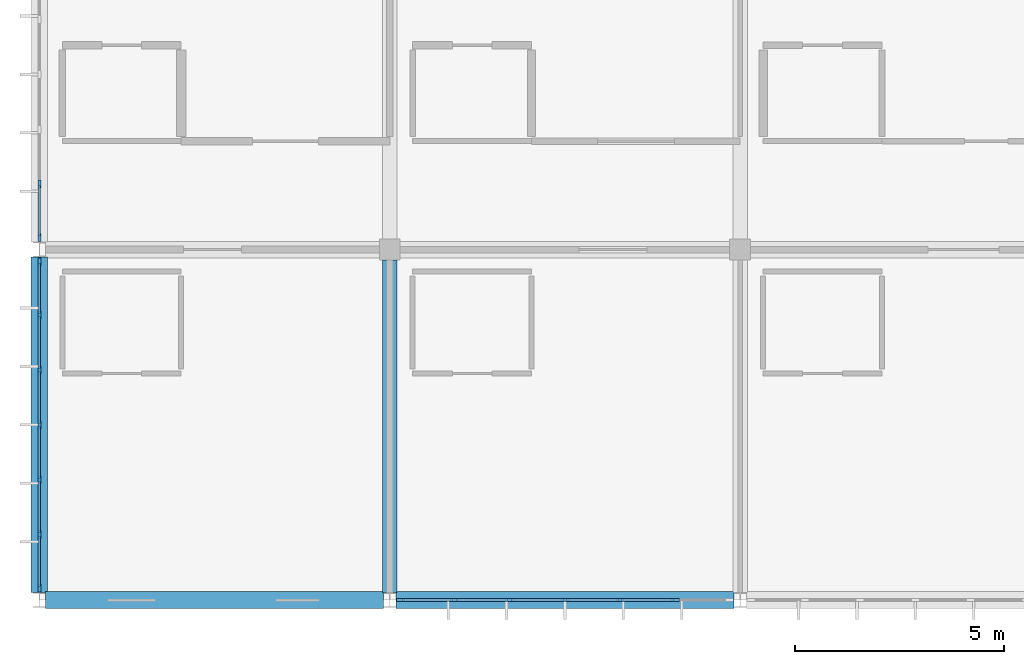
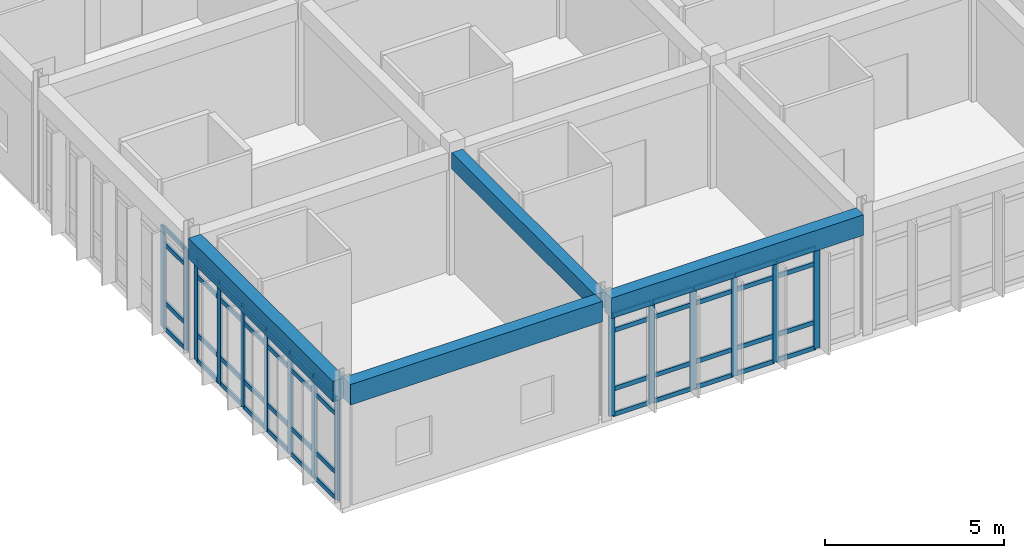
# One storey, part 9 of 144: 63 members, 4 beams, 3 elements without a shape of their own.
"""IFC4 building model written with IfcOpenShell, lengths in metres."""

from ifc_helpers import new_model, si_unit, direction, frame, origin, origin_2d, place, context, subcontext, project, spatial, rectangle, extrude, material, layer, layer_set, material_profile, profile_set, type_object, element, aggregate, save


model = new_model("IFC4")

# Units and contexts
model_context = context("Model", 3, precision=1e-05, world=origin(), true_north=direction((0.0, 1.0)))
body_context = subcontext(model_context, "Body", "Model", "MODEL_VIEW")
ifc_project = project(units=[si_unit("LENGTHUNIT", "METRE"), si_unit("AREAUNIT", "SQUARE_METRE"), si_unit("VOLUMEUNIT", "CUBIC_METRE"), si_unit("PLANEANGLEUNIT", "RADIAN"), si_unit("MASSUNIT", "GRAM", prefix="KILO")], contexts=[model_context])

# Site, building, storey
site_placement = place(None, origin())
site = spatial("IfcSite", under=ifc_project, at=site_placement, CompositionType="ELEMENT")
building_placement = place(site_placement, origin())
building = spatial("IfcBuilding", under=site, at=building_placement, Name="Bramfleet General Hospital", CompositionType="ELEMENT")
storey_placement = place(building_placement, frame((0.0, 0.0, 4.800048828125)))
storey = spatial("IfcBuildingStorey", under=building, at=storey_placement, Name="L01", CompositionType="ELEMENT", Elevation=4.800048828125)

# Beams
ifc_material_1 = material(Name="Concrete C35/45", Category="concrete")
ifc_material_profile_1 = material_profile(ifc_material_1, rectangle(XDim=0.35009765625, YDim=0.550048828125, at=origin_2d()), Name="RC BM 550x350")
ifc_profile_set_1 = profile_set([ifc_material_profile_1], Name="Concrete C35/45")
beam_type_1 = type_object("IfcBeamType", Name="BM-RC550", PredefinedType="BEAM", material=ifc_profile_set_1)
beam_1_placement = place(storey_placement, frame((8.39990234375, 0.179931640625, 3.875), z_axis=(0.0, 1.0, 0.0), x_axis=(-1.0, 0.0, 0.0)))
element("IfcBeam", 1, at=beam_1_placement, inside=storey, type_object=beam_type_1, Name="L01 Grid Beam Y 01-00", PredefinedType="BEAM", context=body_context, shape_type="SweptSolid", body=[
    extrude(rectangle(XDim=0.35009765625, YDim=0.550048828125, at=origin_2d()), origin(), (0.0, 0.0, 1.0), 7.969970703125),
])
ifc_material_profile_2 = material_profile(ifc_material_1, rectangle(XDim=0.39990234375, YDim=0.699951171875, at=origin_2d()), Name="RC SP 700x400")
ifc_profile_set_2 = profile_set([ifc_material_profile_2], Name="Concrete C35/45")
beam_type_2 = type_object("IfcBeamType", Name="BM-SP700", PredefinedType="SPANDREL", material=ifc_profile_set_2)
beam_2_placement = place(storey_placement, frame((0.14990234375, 0.0, 3.800048828125), z_axis=(1.0, 0.0, 0.0), x_axis=(0.0, 1.0, 0.0)))
element("IfcBeam", 2, at=beam_2_placement, inside=storey, type_object=beam_type_2, Name="L01 Grid Beam X 00-00", PredefinedType="SPANDREL", context=body_context, shape_type="SweptSolid", body=[
    extrude(rectangle(XDim=0.39990234375, YDim=0.699951171875, at=origin_2d()), origin(), (0.0, 0.0, 1.0), 8.10009765625),
])
beam_3_placement = place(storey_placement, frame((8.550048828125, 0.0, 3.800048828125), z_axis=(1.0, 0.0, 0.0), x_axis=(0.0, 1.0, 0.0)))
element("IfcBeam", 3, at=beam_3_placement, inside=storey, type_object=beam_type_2, Name="L01 Grid Beam X 01-00", PredefinedType="SPANDREL", context=body_context, shape_type="SweptSolid", body=[
    extrude(rectangle(XDim=0.39990234375, YDim=0.699951171875, at=origin_2d()), origin(), (0.0, 0.0, 1.0), 8.099853515625),
])
beam_4_placement = place(storey_placement, frame((0.0, 0.179931640625, 3.800048828125), z_axis=(0.0, 1.0, 0.0), x_axis=(-1.0, 0.0, 0.0)))
element("IfcBeam", 4, at=beam_4_placement, inside=storey, type_object=beam_type_2, Name="L01 Grid Beam Y 00-00", PredefinedType="SPANDREL", context=body_context, shape_type="SweptSolid", body=[
    extrude(rectangle(XDim=0.39990234375, YDim=0.699951171875, at=origin_2d()), origin(), (0.0, 0.0, 1.0), 8.0400390625),
])

# Curtain wall, members
ifc_material_2 = material(Name="Anodised aluminium and low-E triple glazing", Category="aluminium")
ifc_layer_1 = layer(ifc_material_2, 0.179931640625, Name="CWT-CW-16")
ifc_layer_set_1 = layer_set([ifc_layer_1], Name="Anodised aluminium and low-E triple glazing")
curtain_wall_type_1 = type_object("IfcCurtainWallType", Name="CWT-CW-16", PredefinedType="USERDEFINED", material=ifc_layer_set_1)
curtain_wall_1_placement = place(storey_placement, origin())
curtain_wall_1 = element("IfcCurtainWall", 5, at=curtain_wall_1_placement, inside=storey, type_object=curtain_wall_type_1, Name="L01 Curtain Wall 88", ObjectType="Stick curtain wall", PredefinedType="USERDEFINED")
ifc_material_3 = material(Name="Structural timber GL28h", Category="wood")
ifc_material_profile_3 = material_profile(ifc_material_3, rectangle(XDim=0.070068359375, YDim=0.18994140625, at=origin_2d()), Name="LARCH 190x70")
ifc_profile_set_3 = profile_set([ifc_material_profile_3], Name="Structural timber GL28h")
member_type_1 = type_object("IfcMemberType", Name="CWM-LARCH450", PredefinedType="MULLION", material=ifc_profile_set_3)
member_1_placement = place(storey_placement, frame((15.25, 0.0, 0.0), z_axis=(0.0, 0.0, 1.0), x_axis=(0.0, -1.0, 0.0)))
member_1 = element("IfcMember", 6, at=member_1_placement, type_object=member_type_1, Name="CW-16 mullion 2", PredefinedType="MULLION", context=body_context, shape_type="SweptSolid", body=[
    extrude(rectangle(XDim=0.070068359375, YDim=0.18994140625, at=origin_2d()), origin(), (0.0, 0.0, 1.0), 3.43994140625),
])
member_2_placement = place(storey_placement, frame((13.925048828125, 0.0, 0.0), z_axis=(0.0, 0.0, 1.0), x_axis=(0.0, -1.0, 0.0)))
member_2 = element("IfcMember", 7, at=member_2_placement, type_object=member_type_1, Name="CW-16 mullion 3", PredefinedType="MULLION", context=body_context, shape_type="SweptSolid", body=[
    extrude(rectangle(XDim=0.070068359375, YDim=0.18994140625, at=origin_2d()), origin(), (0.0, 0.0, 1.0), 3.43994140625),
])
member_3_placement = place(storey_placement, frame((12.60009765625, 0.0, 0.0), z_axis=(0.0, 0.0, 1.0), x_axis=(0.0, -1.0, 0.0)))
member_3 = element("IfcMember", 8, at=member_3_placement, type_object=member_type_1, Name="CW-16 mullion 4", PredefinedType="MULLION", context=body_context, shape_type="SweptSolid", body=[
    extrude(rectangle(XDim=0.070068359375, YDim=0.18994140625, at=origin_2d()), origin(), (0.0, 0.0, 1.0), 3.43994140625),
])
member_4_placement = place(storey_placement, frame((11.27490234375, 0.0, 0.0), z_axis=(0.0, 0.0, 1.0), x_axis=(0.0, -1.0, 0.0)))
member_4 = element("IfcMember", 9, at=member_4_placement, type_object=member_type_1, Name="CW-16 mullion 5", PredefinedType="MULLION", context=body_context, shape_type="SweptSolid", body=[
    extrude(rectangle(XDim=0.070068359375, YDim=0.18994140625, at=origin_2d()), origin(), (0.0, 0.0, 1.0), 3.43994140625),
])
member_5_placement = place(storey_placement, frame((9.949951171875, 0.0, 0.0), z_axis=(0.0, 0.0, 1.0), x_axis=(0.0, -1.0, 0.0)))
member_5 = element("IfcMember", 10, at=member_5_placement, type_object=member_type_1, Name="CW-16 mullion 6", PredefinedType="MULLION", context=body_context, shape_type="SweptSolid", body=[
    extrude(rectangle(XDim=0.070068359375, YDim=0.18994140625, at=origin_2d()), origin(), (0.0, 0.0, 1.0), 3.43994140625),
])
member_6_placement = place(storey_placement, frame((8.659912109375, 0.0, 0.0), z_axis=(0.0, 0.0, 1.0), x_axis=(0.0, -1.0, 0.0)))
member_6 = element("IfcMember", 11, at=member_6_placement, type_object=member_type_1, Name="CW-16 mullion 7", PredefinedType="MULLION", context=body_context, shape_type="SweptSolid", body=[
    extrude(rectangle(XDim=0.070068359375, YDim=0.18994140625, at=origin_2d()), origin(), (0.0, 0.0, 1.0), 3.43994140625),
])

ifc_layer_2 = layer(ifc_material_2, 0.179931640625, Name="CWT-CW-17")
ifc_layer_set_2 = layer_set([ifc_layer_2], Name="Anodised aluminium and low-E triple glazing")
curtain_wall_type_2 = type_object("IfcCurtainWallType", Name="CWT-CW-17", PredefinedType="USERDEFINED", material=ifc_layer_set_2)
curtain_wall_2_placement = place(storey_placement, origin())
curtain_wall_2 = element("IfcCurtainWall", 12, at=curtain_wall_2_placement, inside=storey, type_object=curtain_wall_type_2, Name="L01 Curtain Wall 89", ObjectType="Stick curtain wall", PredefinedType="USERDEFINED")
member_7_placement = place(storey_placement, frame((0.0, 0.2900390625, 0.0), z_axis=(0.0, 0.0, 1.0), x_axis=(-1.0, 0.0, 0.0)))
member_7 = element("IfcMember", 13, at=member_7_placement, type_object=member_type_1, Name="CW-17 mullion 1", PredefinedType="MULLION", context=body_context, shape_type="SweptSolid", body=[
    extrude(rectangle(XDim=0.070068359375, YDim=0.18994140625, at=origin_2d()), origin(), (0.0, 0.0, 1.0), 3.43994140625),
])
member_8_placement = place(storey_placement, frame((0.0, 1.570068359375, 0.0), z_axis=(0.0, 0.0, 1.0), x_axis=(-1.0, 0.0, 0.0)))
member_8 = element("IfcMember", 14, at=member_8_placement, type_object=member_type_1, Name="CW-17 mullion 2", PredefinedType="MULLION", context=body_context, shape_type="SweptSolid", body=[
    extrude(rectangle(XDim=0.070068359375, YDim=0.18994140625, at=origin_2d()), origin(), (0.0, 0.0, 1.0), 3.43994140625),
])
member_9_placement = place(storey_placement, frame((0.0, 2.885009765625, 0.0), z_axis=(0.0, 0.0, 1.0), x_axis=(-1.0, 0.0, 0.0)))
member_9 = element("IfcMember", 15, at=member_9_placement, type_object=member_type_1, Name="CW-17 mullion 3", PredefinedType="MULLION", context=body_context, shape_type="SweptSolid", body=[
    extrude(rectangle(XDim=0.070068359375, YDim=0.18994140625, at=origin_2d()), origin(), (0.0, 0.0, 1.0), 3.43994140625),
])
member_10_placement = place(storey_placement, frame((0.0, 4.199951171875, 0.0), z_axis=(0.0, 0.0, 1.0), x_axis=(-1.0, 0.0, 0.0)))
member_10 = element("IfcMember", 16, at=member_10_placement, type_object=member_type_1, Name="CW-17 mullion 4", PredefinedType="MULLION", context=body_context, shape_type="SweptSolid", body=[
    extrude(rectangle(XDim=0.070068359375, YDim=0.18994140625, at=origin_2d()), origin(), (0.0, 0.0, 1.0), 3.43994140625),
])
member_11_placement = place(storey_placement, frame((0.0, 5.514892578125, 0.0), z_axis=(0.0, 0.0, 1.0), x_axis=(-1.0, 0.0, 0.0)))
member_11 = element("IfcMember", 17, at=member_11_placement, type_object=member_type_1, Name="CW-17 mullion 5", PredefinedType="MULLION", context=body_context, shape_type="SweptSolid", body=[
    extrude(rectangle(XDim=0.070068359375, YDim=0.18994140625, at=origin_2d()), origin(), (0.0, 0.0, 1.0), 3.43994140625),
])
member_12_placement = place(storey_placement, frame((0.0, 6.830078125, 0.0), z_axis=(0.0, 0.0, 1.0), x_axis=(-1.0, 0.0, 0.0)))
member_12 = element("IfcMember", 18, at=member_12_placement, type_object=member_type_1, Name="CW-17 mullion 6", PredefinedType="MULLION", context=body_context, shape_type="SweptSolid", body=[
    extrude(rectangle(XDim=0.070068359375, YDim=0.18994140625, at=origin_2d()), origin(), (0.0, 0.0, 1.0), 3.43994140625),
])
member_13_placement = place(storey_placement, frame((0.0, 8.110107421875, 0.0), z_axis=(0.0, 0.0, 1.0), x_axis=(-1.0, 0.0, 0.0)))
member_13 = element("IfcMember", 19, at=member_13_placement, type_object=member_type_1, Name="CW-17 mullion 7", PredefinedType="MULLION", context=body_context, shape_type="SweptSolid", body=[
    extrude(rectangle(XDim=0.070068359375, YDim=0.18994140625, at=origin_2d()), origin(), (0.0, 0.0, 1.0), 3.43994140625),
])

ifc_layer_3 = layer(ifc_material_2, 0.179931640625, Name="CWT-CW-18")
ifc_layer_set_3 = layer_set([ifc_layer_3], Name="Anodised aluminium and low-E triple glazing")
curtain_wall_type_3 = type_object("IfcCurtainWallType", Name="CWT-CW-18", PredefinedType="USERDEFINED", material=ifc_layer_set_3)
curtain_wall_3_placement = place(storey_placement, origin())
curtain_wall_3 = element("IfcCurtainWall", 20, at=curtain_wall_3_placement, inside=storey, type_object=curtain_wall_type_3, Name="L01 Curtain Wall 90", ObjectType="Stick curtain wall", PredefinedType="USERDEFINED")
member_14_placement = place(storey_placement, frame((0.0, 8.68994140625, 0.0), z_axis=(0.0, 0.0, 1.0), x_axis=(-1.0, 0.0, 0.0)))
member_14 = element("IfcMember", 21, at=member_14_placement, type_object=member_type_1, Name="CW-18 mullion 1", PredefinedType="MULLION", context=body_context, shape_type="SweptSolid", body=[
    extrude(rectangle(XDim=0.070068359375, YDim=0.18994140625, at=origin_2d()), origin(), (0.0, 0.0, 1.0), 3.43994140625),
])
member_15_placement = place(storey_placement, frame((0.0, 9.969970703125, 0.0), z_axis=(0.0, 0.0, 1.0), x_axis=(-1.0, 0.0, 0.0)))
member_15 = element("IfcMember", 22, at=member_15_placement, type_object=member_type_1, Name="CW-18 mullion 2", PredefinedType="MULLION", context=body_context, shape_type="SweptSolid", body=[
    extrude(rectangle(XDim=0.070068359375, YDim=0.18994140625, at=origin_2d()), origin(), (0.0, 0.0, 1.0), 3.43994140625),
])

# Member
ifc_material_profile_4 = material_profile(ifc_material_3, rectangle(XDim=0.06494140625, YDim=0.14990234375, at=origin_2d()), Name="LARCH 150x65")
ifc_profile_set_4 = profile_set([ifc_material_profile_4], Name="Structural timber GL28h")
member_type_2 = type_object("IfcMemberType", Name="CWT-LARCH220", PredefinedType="USERDEFINED", material=ifc_profile_set_4)
member_16_placement = place(storey_placement, frame((15.215087890625, 0.0, 0.032470703125), z_axis=(-1.0, 0.0, 0.0), x_axis=(0.0, -1.0, 0.0)))
member_16 = element("IfcMember", 23, at=member_16_placement, type_object=member_type_2, Name="CW-16 transom 2.1", ObjectType="TRANSOM", PredefinedType="USERDEFINED", context=body_context, shape_type="SweptSolid", body=[
    extrude(rectangle(XDim=0.06494140625, YDim=0.14990234375, at=origin_2d()), origin(), (0.0, 0.0, 1.0), 1.255126953125),
])

member_17_placement = place(storey_placement, frame((15.215087890625, 0.0, 0.89990234375), z_axis=(-1.0, 0.0, 0.0), x_axis=(0.0, -1.0, 0.0)))
member_17 = element("IfcMember", 24, at=member_17_placement, type_object=member_type_2, Name="CW-16 transom 2.2", ObjectType="TRANSOM", PredefinedType="USERDEFINED", context=body_context, shape_type="SweptSolid", body=[
    extrude(rectangle(XDim=0.06494140625, YDim=0.14990234375, at=origin_2d()), origin(), (0.0, 0.0, 1.0), 1.255126953125),
])

member_18_placement = place(storey_placement, frame((15.215087890625, 0.0, 2.889892578125), z_axis=(-1.0, 0.0, 0.0), x_axis=(0.0, -1.0, 0.0)))
member_18 = element("IfcMember", 25, at=member_18_placement, type_object=member_type_2, Name="CW-16 transom 2.3", ObjectType="TRANSOM", PredefinedType="USERDEFINED", context=body_context, shape_type="SweptSolid", body=[
    extrude(rectangle(XDim=0.06494140625, YDim=0.14990234375, at=origin_2d()), origin(), (0.0, 0.0, 1.0), 1.255126953125),
])

member_19_placement = place(storey_placement, frame((15.215087890625, 0.0, 3.407470703125), z_axis=(-1.0, 0.0, 0.0), x_axis=(0.0, -1.0, 0.0)))
member_19 = element("IfcMember", 26, at=member_19_placement, type_object=member_type_2, Name="CW-16 transom 2.4", ObjectType="TRANSOM", PredefinedType="USERDEFINED", context=body_context, shape_type="SweptSolid", body=[
    extrude(rectangle(XDim=0.06494140625, YDim=0.14990234375, at=origin_2d()), origin(), (0.0, 0.0, 1.0), 1.255126953125),
])

member_20_placement = place(storey_placement, frame((13.889892578125, 0.0, 0.032470703125), z_axis=(-1.0, 0.0, 0.0), x_axis=(0.0, -1.0, 0.0)))
member_20 = element("IfcMember", 27, at=member_20_placement, type_object=member_type_2, Name="CW-16 transom 3.1", ObjectType="TRANSOM", PredefinedType="USERDEFINED", context=body_context, shape_type="SweptSolid", body=[
    extrude(rectangle(XDim=0.06494140625, YDim=0.14990234375, at=origin_2d()), origin(), (0.0, 0.0, 1.0), 1.2548828125),
])

member_21_placement = place(storey_placement, frame((13.889892578125, 0.0, 0.89990234375), z_axis=(-1.0, 0.0, 0.0), x_axis=(0.0, -1.0, 0.0)))
member_21 = element("IfcMember", 28, at=member_21_placement, type_object=member_type_2, Name="CW-16 transom 3.2", ObjectType="TRANSOM", PredefinedType="USERDEFINED", context=body_context, shape_type="SweptSolid", body=[
    extrude(rectangle(XDim=0.06494140625, YDim=0.14990234375, at=origin_2d()), origin(), (0.0, 0.0, 1.0), 1.2548828125),
])

member_22_placement = place(storey_placement, frame((13.889892578125, 0.0, 2.889892578125), z_axis=(-1.0, 0.0, 0.0), x_axis=(0.0, -1.0, 0.0)))
member_22 = element("IfcMember", 29, at=member_22_placement, type_object=member_type_2, Name="CW-16 transom 3.3", ObjectType="TRANSOM", PredefinedType="USERDEFINED", context=body_context, shape_type="SweptSolid", body=[
    extrude(rectangle(XDim=0.06494140625, YDim=0.14990234375, at=origin_2d()), origin(), (0.0, 0.0, 1.0), 1.2548828125),
])

member_23_placement = place(storey_placement, frame((13.889892578125, 0.0, 3.407470703125), z_axis=(-1.0, 0.0, 0.0), x_axis=(0.0, -1.0, 0.0)))
member_23 = element("IfcMember", 30, at=member_23_placement, type_object=member_type_2, Name="CW-16 transom 3.4", ObjectType="TRANSOM", PredefinedType="USERDEFINED", context=body_context, shape_type="SweptSolid", body=[
    extrude(rectangle(XDim=0.06494140625, YDim=0.14990234375, at=origin_2d()), origin(), (0.0, 0.0, 1.0), 1.2548828125),
])

member_24_placement = place(storey_placement, frame((12.56494140625, 0.0, 0.032470703125), z_axis=(-1.0, 0.0, 0.0), x_axis=(0.0, -1.0, 0.0)))
member_24 = element("IfcMember", 31, at=member_24_placement, type_object=member_type_2, Name="CW-16 transom 4.1", ObjectType="TRANSOM", PredefinedType="USERDEFINED", context=body_context, shape_type="SweptSolid", body=[
    extrude(rectangle(XDim=0.06494140625, YDim=0.14990234375, at=origin_2d()), origin(), (0.0, 0.0, 1.0), 1.2548828125),
])

member_25_placement = place(storey_placement, frame((12.56494140625, 0.0, 0.89990234375), z_axis=(-1.0, 0.0, 0.0), x_axis=(0.0, -1.0, 0.0)))
member_25 = element("IfcMember", 32, at=member_25_placement, type_object=member_type_2, Name="CW-16 transom 4.2", ObjectType="TRANSOM", PredefinedType="USERDEFINED", context=body_context, shape_type="SweptSolid", body=[
    extrude(rectangle(XDim=0.06494140625, YDim=0.14990234375, at=origin_2d()), origin(), (0.0, 0.0, 1.0), 1.2548828125),
])

member_26_placement = place(storey_placement, frame((12.56494140625, 0.0, 2.889892578125), z_axis=(-1.0, 0.0, 0.0), x_axis=(0.0, -1.0, 0.0)))
member_26 = element("IfcMember", 33, at=member_26_placement, type_object=member_type_2, Name="CW-16 transom 4.3", ObjectType="TRANSOM", PredefinedType="USERDEFINED", context=body_context, shape_type="SweptSolid", body=[
    extrude(rectangle(XDim=0.06494140625, YDim=0.14990234375, at=origin_2d()), origin(), (0.0, 0.0, 1.0), 1.2548828125),
])

member_27_placement = place(storey_placement, frame((12.56494140625, 0.0, 3.407470703125), z_axis=(-1.0, 0.0, 0.0), x_axis=(0.0, -1.0, 0.0)))
member_27 = element("IfcMember", 34, at=member_27_placement, type_object=member_type_2, Name="CW-16 transom 4.4", ObjectType="TRANSOM", PredefinedType="USERDEFINED", context=body_context, shape_type="SweptSolid", body=[
    extrude(rectangle(XDim=0.06494140625, YDim=0.14990234375, at=origin_2d()), origin(), (0.0, 0.0, 1.0), 1.2548828125),
])

member_28_placement = place(storey_placement, frame((11.239990234375, 0.0, 0.032470703125), z_axis=(-1.0, 0.0, 0.0), x_axis=(0.0, -1.0, 0.0)))
member_28 = element("IfcMember", 35, at=member_28_placement, type_object=member_type_2, Name="CW-16 transom 5.1", ObjectType="TRANSOM", PredefinedType="USERDEFINED", context=body_context, shape_type="SweptSolid", body=[
    extrude(rectangle(XDim=0.06494140625, YDim=0.14990234375, at=origin_2d()), origin(), (0.0, 0.0, 1.0), 1.2548828125),
])

member_29_placement = place(storey_placement, frame((11.239990234375, 0.0, 0.89990234375), z_axis=(-1.0, 0.0, 0.0), x_axis=(0.0, -1.0, 0.0)))
member_29 = element("IfcMember", 36, at=member_29_placement, type_object=member_type_2, Name="CW-16 transom 5.2", ObjectType="TRANSOM", PredefinedType="USERDEFINED", context=body_context, shape_type="SweptSolid", body=[
    extrude(rectangle(XDim=0.06494140625, YDim=0.14990234375, at=origin_2d()), origin(), (0.0, 0.0, 1.0), 1.2548828125),
])

member_30_placement = place(storey_placement, frame((11.239990234375, 0.0, 2.889892578125), z_axis=(-1.0, 0.0, 0.0), x_axis=(0.0, -1.0, 0.0)))
member_30 = element("IfcMember", 37, at=member_30_placement, type_object=member_type_2, Name="CW-16 transom 5.3", ObjectType="TRANSOM", PredefinedType="USERDEFINED", context=body_context, shape_type="SweptSolid", body=[
    extrude(rectangle(XDim=0.06494140625, YDim=0.14990234375, at=origin_2d()), origin(), (0.0, 0.0, 1.0), 1.2548828125),
])

member_31_placement = place(storey_placement, frame((11.239990234375, 0.0, 3.407470703125), z_axis=(-1.0, 0.0, 0.0), x_axis=(0.0, -1.0, 0.0)))
member_31 = element("IfcMember", 38, at=member_31_placement, type_object=member_type_2, Name="CW-16 transom 5.4", ObjectType="TRANSOM", PredefinedType="USERDEFINED", context=body_context, shape_type="SweptSolid", body=[
    extrude(rectangle(XDim=0.06494140625, YDim=0.14990234375, at=origin_2d()), origin(), (0.0, 0.0, 1.0), 1.2548828125),
])

member_32_placement = place(storey_placement, frame((9.9150390625, 0.0, 0.032470703125), z_axis=(-1.0, 0.0, 0.0), x_axis=(0.0, -1.0, 0.0)))
member_32 = element("IfcMember", 39, at=member_32_placement, type_object=member_type_2, Name="CW-16 transom 6.1", ObjectType="TRANSOM", PredefinedType="USERDEFINED", context=body_context, shape_type="SweptSolid", body=[
    extrude(rectangle(XDim=0.06494140625, YDim=0.14990234375, at=origin_2d()), origin(), (0.0, 0.0, 1.0), 1.219970703125),
])

member_33_placement = place(storey_placement, frame((9.9150390625, 0.0, 0.89990234375), z_axis=(-1.0, 0.0, 0.0), x_axis=(0.0, -1.0, 0.0)))
member_33 = element("IfcMember", 40, at=member_33_placement, type_object=member_type_2, Name="CW-16 transom 6.2", ObjectType="TRANSOM", PredefinedType="USERDEFINED", context=body_context, shape_type="SweptSolid", body=[
    extrude(rectangle(XDim=0.06494140625, YDim=0.14990234375, at=origin_2d()), origin(), (0.0, 0.0, 1.0), 1.219970703125),
])

member_34_placement = place(storey_placement, frame((9.9150390625, 0.0, 2.889892578125), z_axis=(-1.0, 0.0, 0.0), x_axis=(0.0, -1.0, 0.0)))
member_34 = element("IfcMember", 41, at=member_34_placement, type_object=member_type_2, Name="CW-16 transom 6.3", ObjectType="TRANSOM", PredefinedType="USERDEFINED", context=body_context, shape_type="SweptSolid", body=[
    extrude(rectangle(XDim=0.06494140625, YDim=0.14990234375, at=origin_2d()), origin(), (0.0, 0.0, 1.0), 1.219970703125),
])

member_35_placement = place(storey_placement, frame((9.9150390625, 0.0, 3.407470703125), z_axis=(-1.0, 0.0, 0.0), x_axis=(0.0, -1.0, 0.0)))
member_35 = element("IfcMember", 42, at=member_35_placement, type_object=member_type_2, Name="CW-16 transom 6.4", ObjectType="TRANSOM", PredefinedType="USERDEFINED", context=body_context, shape_type="SweptSolid", body=[
    extrude(rectangle(XDim=0.06494140625, YDim=0.14990234375, at=origin_2d()), origin(), (0.0, 0.0, 1.0), 1.219970703125),
])

aggregate(curtain_wall_1, [member_1, member_2, member_3, member_4, member_5, member_6, member_16, member_17, member_18, member_19, member_20, member_21, member_22, member_23, member_24, member_25, member_26, member_27, member_28, member_29, member_30, member_31, member_32, member_33, member_34, member_35])

member_36_placement = place(storey_placement, frame((0.0, 0.324951171875, 0.032470703125), z_axis=(0.0, 1.0, 0.0), x_axis=(-1.0, 0.0, 0.0)))
member_36 = element("IfcMember", 43, at=member_36_placement, type_object=member_type_2, Name="CW-17 transom 1.1", ObjectType="TRANSOM", PredefinedType="USERDEFINED", context=body_context, shape_type="SweptSolid", body=[
    extrude(rectangle(XDim=0.06494140625, YDim=0.14990234375, at=origin_2d()), origin(), (0.0, 0.0, 1.0), 1.2099609375),
])

member_37_placement = place(storey_placement, frame((0.0, 0.324951171875, 0.89990234375), z_axis=(0.0, 1.0, 0.0), x_axis=(-1.0, 0.0, 0.0)))
member_37 = element("IfcMember", 44, at=member_37_placement, type_object=member_type_2, Name="CW-17 transom 1.2", ObjectType="TRANSOM", PredefinedType="USERDEFINED", context=body_context, shape_type="SweptSolid", body=[
    extrude(rectangle(XDim=0.06494140625, YDim=0.14990234375, at=origin_2d()), origin(), (0.0, 0.0, 1.0), 1.2099609375),
])

member_38_placement = place(storey_placement, frame((0.0, 0.324951171875, 2.889892578125), z_axis=(0.0, 1.0, 0.0), x_axis=(-1.0, 0.0, 0.0)))
member_38 = element("IfcMember", 45, at=member_38_placement, type_object=member_type_2, Name="CW-17 transom 1.3", ObjectType="TRANSOM", PredefinedType="USERDEFINED", context=body_context, shape_type="SweptSolid", body=[
    extrude(rectangle(XDim=0.06494140625, YDim=0.14990234375, at=origin_2d()), origin(), (0.0, 0.0, 1.0), 1.2099609375),
])

member_39_placement = place(storey_placement, frame((0.0, 0.324951171875, 3.407470703125), z_axis=(0.0, 1.0, 0.0), x_axis=(-1.0, 0.0, 0.0)))
member_39 = element("IfcMember", 46, at=member_39_placement, type_object=member_type_2, Name="CW-17 transom 1.4", ObjectType="TRANSOM", PredefinedType="USERDEFINED", context=body_context, shape_type="SweptSolid", body=[
    extrude(rectangle(XDim=0.06494140625, YDim=0.14990234375, at=origin_2d()), origin(), (0.0, 0.0, 1.0), 1.2099609375),
])

member_40_placement = place(storey_placement, frame((0.0, 1.60498046875, 0.032470703125), z_axis=(0.0, 1.0, 0.0), x_axis=(-1.0, 0.0, 0.0)))
member_40 = element("IfcMember", 47, at=member_40_placement, type_object=member_type_2, Name="CW-17 transom 2.1", ObjectType="TRANSOM", PredefinedType="USERDEFINED", context=body_context, shape_type="SweptSolid", body=[
    extrude(rectangle(XDim=0.06494140625, YDim=0.14990234375, at=origin_2d()), origin(), (0.0, 0.0, 1.0), 1.2451171875),
])

member_41_placement = place(storey_placement, frame((0.0, 1.60498046875, 0.89990234375), z_axis=(0.0, 1.0, 0.0), x_axis=(-1.0, 0.0, 0.0)))
member_41 = element("IfcMember", 48, at=member_41_placement, type_object=member_type_2, Name="CW-17 transom 2.2", ObjectType="TRANSOM", PredefinedType="USERDEFINED", context=body_context, shape_type="SweptSolid", body=[
    extrude(rectangle(XDim=0.06494140625, YDim=0.14990234375, at=origin_2d()), origin(), (0.0, 0.0, 1.0), 1.2451171875),
])

member_42_placement = place(storey_placement, frame((0.0, 1.60498046875, 2.889892578125), z_axis=(0.0, 1.0, 0.0), x_axis=(-1.0, 0.0, 0.0)))
member_42 = element("IfcMember", 49, at=member_42_placement, type_object=member_type_2, Name="CW-17 transom 2.3", ObjectType="TRANSOM", PredefinedType="USERDEFINED", context=body_context, shape_type="SweptSolid", body=[
    extrude(rectangle(XDim=0.06494140625, YDim=0.14990234375, at=origin_2d()), origin(), (0.0, 0.0, 1.0), 1.2451171875),
])

member_43_placement = place(storey_placement, frame((0.0, 1.60498046875, 3.407470703125), z_axis=(0.0, 1.0, 0.0), x_axis=(-1.0, 0.0, 0.0)))
member_43 = element("IfcMember", 50, at=member_43_placement, type_object=member_type_2, Name="CW-17 transom 2.4", ObjectType="TRANSOM", PredefinedType="USERDEFINED", context=body_context, shape_type="SweptSolid", body=[
    extrude(rectangle(XDim=0.06494140625, YDim=0.14990234375, at=origin_2d()), origin(), (0.0, 0.0, 1.0), 1.2451171875),
])

member_44_placement = place(storey_placement, frame((0.0, 2.919921875, 0.032470703125), z_axis=(0.0, 1.0, 0.0), x_axis=(-1.0, 0.0, 0.0)))
member_44 = element("IfcMember", 51, at=member_44_placement, type_object=member_type_2, Name="CW-17 transom 3.1", ObjectType="TRANSOM", PredefinedType="USERDEFINED", context=body_context, shape_type="SweptSolid", body=[
    extrude(rectangle(XDim=0.06494140625, YDim=0.14990234375, at=origin_2d()), origin(), (0.0, 0.0, 1.0), 1.2451171875),
])

member_45_placement = place(storey_placement, frame((0.0, 2.919921875, 0.89990234375), z_axis=(0.0, 1.0, 0.0), x_axis=(-1.0, 0.0, 0.0)))
member_45 = element("IfcMember", 52, at=member_45_placement, type_object=member_type_2, Name="CW-17 transom 3.2", ObjectType="TRANSOM", PredefinedType="USERDEFINED", context=body_context, shape_type="SweptSolid", body=[
    extrude(rectangle(XDim=0.06494140625, YDim=0.14990234375, at=origin_2d()), origin(), (0.0, 0.0, 1.0), 1.2451171875),
])

member_46_placement = place(storey_placement, frame((0.0, 2.919921875, 2.889892578125), z_axis=(0.0, 1.0, 0.0), x_axis=(-1.0, 0.0, 0.0)))
member_46 = element("IfcMember", 53, at=member_46_placement, type_object=member_type_2, Name="CW-17 transom 3.3", ObjectType="TRANSOM", PredefinedType="USERDEFINED", context=body_context, shape_type="SweptSolid", body=[
    extrude(rectangle(XDim=0.06494140625, YDim=0.14990234375, at=origin_2d()), origin(), (0.0, 0.0, 1.0), 1.2451171875),
])

member_47_placement = place(storey_placement, frame((0.0, 2.919921875, 3.407470703125), z_axis=(0.0, 1.0, 0.0), x_axis=(-1.0, 0.0, 0.0)))
member_47 = element("IfcMember", 54, at=member_47_placement, type_object=member_type_2, Name="CW-17 transom 3.4", ObjectType="TRANSOM", PredefinedType="USERDEFINED", context=body_context, shape_type="SweptSolid", body=[
    extrude(rectangle(XDim=0.06494140625, YDim=0.14990234375, at=origin_2d()), origin(), (0.0, 0.0, 1.0), 1.2451171875),
])

member_48_placement = place(storey_placement, frame((0.0, 4.235107421875, 0.032470703125), z_axis=(0.0, 1.0, 0.0), x_axis=(-1.0, 0.0, 0.0)))
member_48 = element("IfcMember", 55, at=member_48_placement, type_object=member_type_2, Name="CW-17 transom 4.1", ObjectType="TRANSOM", PredefinedType="USERDEFINED", context=body_context, shape_type="SweptSolid", body=[
    extrude(rectangle(XDim=0.06494140625, YDim=0.14990234375, at=origin_2d()), origin(), (0.0, 0.0, 1.0), 1.244873046875),
])

member_49_placement = place(storey_placement, frame((0.0, 4.235107421875, 0.89990234375), z_axis=(0.0, 1.0, 0.0), x_axis=(-1.0, 0.0, 0.0)))
member_49 = element("IfcMember", 56, at=member_49_placement, type_object=member_type_2, Name="CW-17 transom 4.2", ObjectType="TRANSOM", PredefinedType="USERDEFINED", context=body_context, shape_type="SweptSolid", body=[
    extrude(rectangle(XDim=0.06494140625, YDim=0.14990234375, at=origin_2d()), origin(), (0.0, 0.0, 1.0), 1.244873046875),
])

member_50_placement = place(storey_placement, frame((0.0, 4.235107421875, 2.889892578125), z_axis=(0.0, 1.0, 0.0), x_axis=(-1.0, 0.0, 0.0)))
member_50 = element("IfcMember", 57, at=member_50_placement, type_object=member_type_2, Name="CW-17 transom 4.3", ObjectType="TRANSOM", PredefinedType="USERDEFINED", context=body_context, shape_type="SweptSolid", body=[
    extrude(rectangle(XDim=0.06494140625, YDim=0.14990234375, at=origin_2d()), origin(), (0.0, 0.0, 1.0), 1.244873046875),
])

member_51_placement = place(storey_placement, frame((0.0, 4.235107421875, 3.407470703125), z_axis=(0.0, 1.0, 0.0), x_axis=(-1.0, 0.0, 0.0)))
member_51 = element("IfcMember", 58, at=member_51_placement, type_object=member_type_2, Name="CW-17 transom 4.4", ObjectType="TRANSOM", PredefinedType="USERDEFINED", context=body_context, shape_type="SweptSolid", body=[
    extrude(rectangle(XDim=0.06494140625, YDim=0.14990234375, at=origin_2d()), origin(), (0.0, 0.0, 1.0), 1.244873046875),
])

member_52_placement = place(storey_placement, frame((0.0, 5.550048828125, 0.032470703125), z_axis=(0.0, 1.0, 0.0), x_axis=(-1.0, 0.0, 0.0)))
member_52 = element("IfcMember", 59, at=member_52_placement, type_object=member_type_2, Name="CW-17 transom 5.1", ObjectType="TRANSOM", PredefinedType="USERDEFINED", context=body_context, shape_type="SweptSolid", body=[
    extrude(rectangle(XDim=0.06494140625, YDim=0.14990234375, at=origin_2d()), origin(), (0.0, 0.0, 1.0), 1.244873046875),
])

member_53_placement = place(storey_placement, frame((0.0, 5.550048828125, 0.89990234375), z_axis=(0.0, 1.0, 0.0), x_axis=(-1.0, 0.0, 0.0)))
member_53 = element("IfcMember", 60, at=member_53_placement, type_object=member_type_2, Name="CW-17 transom 5.2", ObjectType="TRANSOM", PredefinedType="USERDEFINED", context=body_context, shape_type="SweptSolid", body=[
    extrude(rectangle(XDim=0.06494140625, YDim=0.14990234375, at=origin_2d()), origin(), (0.0, 0.0, 1.0), 1.244873046875),
])

member_54_placement = place(storey_placement, frame((0.0, 5.550048828125, 2.889892578125), z_axis=(0.0, 1.0, 0.0), x_axis=(-1.0, 0.0, 0.0)))
member_54 = element("IfcMember", 61, at=member_54_placement, type_object=member_type_2, Name="CW-17 transom 5.3", ObjectType="TRANSOM", PredefinedType="USERDEFINED", context=body_context, shape_type="SweptSolid", body=[
    extrude(rectangle(XDim=0.06494140625, YDim=0.14990234375, at=origin_2d()), origin(), (0.0, 0.0, 1.0), 1.244873046875),
])

member_55_placement = place(storey_placement, frame((0.0, 5.550048828125, 3.407470703125), z_axis=(0.0, 1.0, 0.0), x_axis=(-1.0, 0.0, 0.0)))
member_55 = element("IfcMember", 62, at=member_55_placement, type_object=member_type_2, Name="CW-17 transom 5.4", ObjectType="TRANSOM", PredefinedType="USERDEFINED", context=body_context, shape_type="SweptSolid", body=[
    extrude(rectangle(XDim=0.06494140625, YDim=0.14990234375, at=origin_2d()), origin(), (0.0, 0.0, 1.0), 1.244873046875),
])

member_56_placement = place(storey_placement, frame((0.0, 6.864990234375, 0.032470703125), z_axis=(0.0, 1.0, 0.0), x_axis=(-1.0, 0.0, 0.0)))
member_56 = element("IfcMember", 63, at=member_56_placement, type_object=member_type_2, Name="CW-17 transom 6.1", ObjectType="TRANSOM", PredefinedType="USERDEFINED", context=body_context, shape_type="SweptSolid", body=[
    extrude(rectangle(XDim=0.06494140625, YDim=0.14990234375, at=origin_2d()), origin(), (0.0, 0.0, 1.0), 1.2099609375),
])

member_57_placement = place(storey_placement, frame((0.0, 6.864990234375, 0.89990234375), z_axis=(0.0, 1.0, 0.0), x_axis=(-1.0, 0.0, 0.0)))
member_57 = element("IfcMember", 64, at=member_57_placement, type_object=member_type_2, Name="CW-17 transom 6.2", ObjectType="TRANSOM", PredefinedType="USERDEFINED", context=body_context, shape_type="SweptSolid", body=[
    extrude(rectangle(XDim=0.06494140625, YDim=0.14990234375, at=origin_2d()), origin(), (0.0, 0.0, 1.0), 1.2099609375),
])

member_58_placement = place(storey_placement, frame((0.0, 6.864990234375, 2.889892578125), z_axis=(0.0, 1.0, 0.0), x_axis=(-1.0, 0.0, 0.0)))
member_58 = element("IfcMember", 65, at=member_58_placement, type_object=member_type_2, Name="CW-17 transom 6.3", ObjectType="TRANSOM", PredefinedType="USERDEFINED", context=body_context, shape_type="SweptSolid", body=[
    extrude(rectangle(XDim=0.06494140625, YDim=0.14990234375, at=origin_2d()), origin(), (0.0, 0.0, 1.0), 1.2099609375),
])

member_59_placement = place(storey_placement, frame((0.0, 6.864990234375, 3.407470703125), z_axis=(0.0, 1.0, 0.0), x_axis=(-1.0, 0.0, 0.0)))
member_59 = element("IfcMember", 66, at=member_59_placement, type_object=member_type_2, Name="CW-17 transom 6.4", ObjectType="TRANSOM", PredefinedType="USERDEFINED", context=body_context, shape_type="SweptSolid", body=[
    extrude(rectangle(XDim=0.06494140625, YDim=0.14990234375, at=origin_2d()), origin(), (0.0, 0.0, 1.0), 1.2099609375),
])

aggregate(curtain_wall_2, [member_7, member_8, member_9, member_10, member_11, member_12, member_13, member_36, member_37, member_38, member_39, member_40, member_41, member_42, member_43, member_44, member_45, member_46, member_47, member_48, member_49, member_50, member_51, member_52, member_53, member_54, member_55, member_56, member_57, member_58, member_59])

member_60_placement = place(storey_placement, frame((0.0, 8.72509765625, 0.032470703125), z_axis=(0.0, 1.0, 0.0), x_axis=(-1.0, 0.0, 0.0)))
member_60 = element("IfcMember", 67, at=member_60_placement, type_object=member_type_2, Name="CW-18 transom 1.1", ObjectType="TRANSOM", PredefinedType="USERDEFINED", context=body_context, shape_type="SweptSolid", body=[
    extrude(rectangle(XDim=0.06494140625, YDim=0.14990234375, at=origin_2d()), origin(), (0.0, 0.0, 1.0), 1.2099609375),
])

member_61_placement = place(storey_placement, frame((0.0, 8.72509765625, 0.89990234375), z_axis=(0.0, 1.0, 0.0), x_axis=(-1.0, 0.0, 0.0)))
member_61 = element("IfcMember", 68, at=member_61_placement, type_object=member_type_2, Name="CW-18 transom 1.2", ObjectType="TRANSOM", PredefinedType="USERDEFINED", context=body_context, shape_type="SweptSolid", body=[
    extrude(rectangle(XDim=0.06494140625, YDim=0.14990234375, at=origin_2d()), origin(), (0.0, 0.0, 1.0), 1.2099609375),
])

member_62_placement = place(storey_placement, frame((0.0, 8.72509765625, 2.889892578125), z_axis=(0.0, 1.0, 0.0), x_axis=(-1.0, 0.0, 0.0)))
member_62 = element("IfcMember", 69, at=member_62_placement, type_object=member_type_2, Name="CW-18 transom 1.3", ObjectType="TRANSOM", PredefinedType="USERDEFINED", context=body_context, shape_type="SweptSolid", body=[
    extrude(rectangle(XDim=0.06494140625, YDim=0.14990234375, at=origin_2d()), origin(), (0.0, 0.0, 1.0), 1.2099609375),
])

member_63_placement = place(storey_placement, frame((0.0, 8.72509765625, 3.407470703125), z_axis=(0.0, 1.0, 0.0), x_axis=(-1.0, 0.0, 0.0)))
member_63 = element("IfcMember", 70, at=member_63_placement, type_object=member_type_2, Name="CW-18 transom 1.4", ObjectType="TRANSOM", PredefinedType="USERDEFINED", context=body_context, shape_type="SweptSolid", body=[
    extrude(rectangle(XDim=0.06494140625, YDim=0.14990234375, at=origin_2d()), origin(), (0.0, 0.0, 1.0), 1.2099609375),
])

aggregate(curtain_wall_3, [member_14, member_15, member_60, member_61, member_62, member_63])

save(model, "model.ifc")
